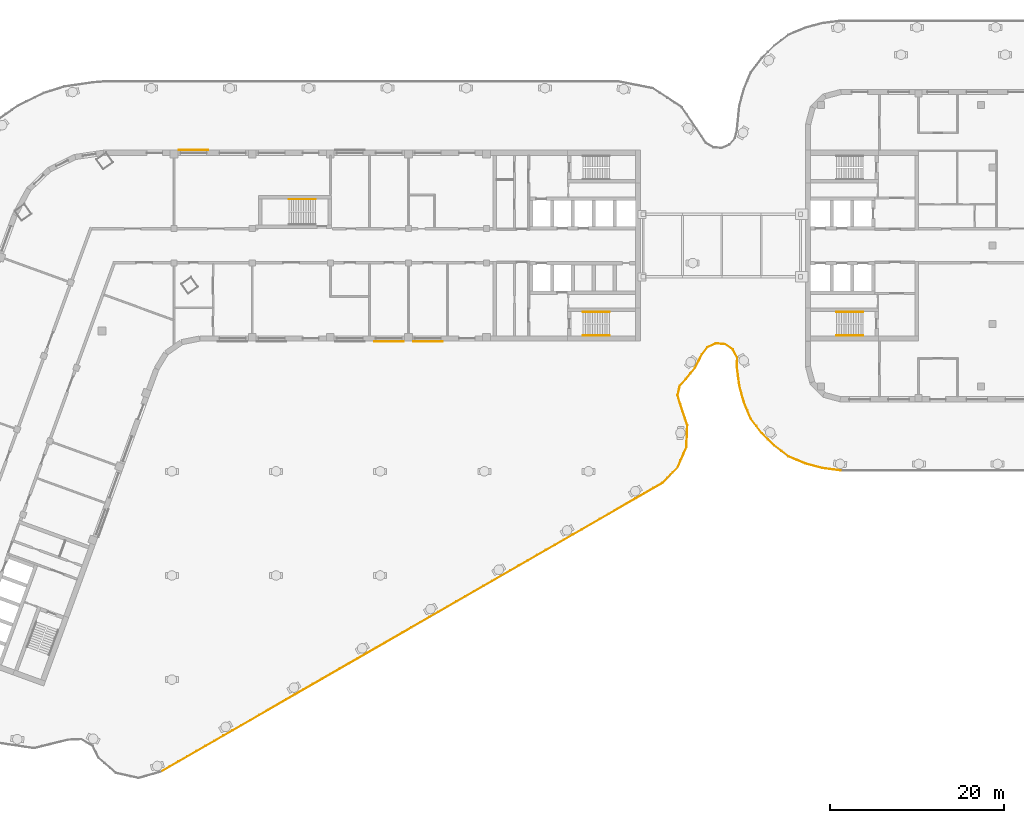
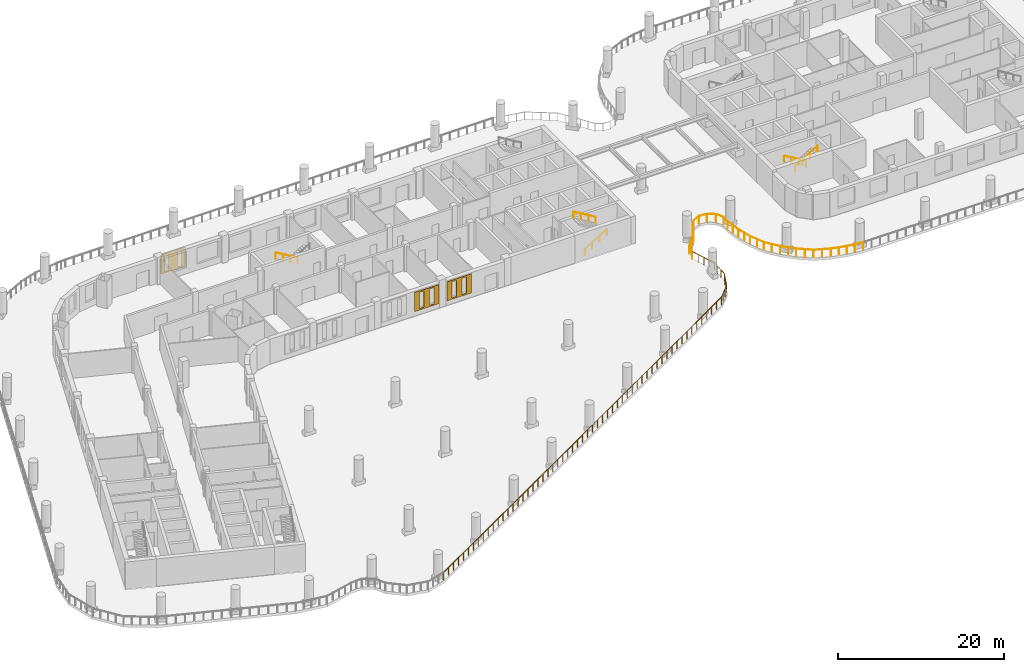
# One storey, part 14 of 18: 7 railings, 3 coverings.
"""IFC4 building model written with IfcOpenShell, lengths in metres."""

from ifc_helpers import new_model, si_unit, direction, frame, origin, origin_2d, place, context, subcontext, project, spatial, polyline, circle, outline, extrude, material, material_profile, profile_set, type_object, element, save


model = new_model("IFC4")

# Units and contexts
model_context = context("Model", 3, precision=1e-05, world=origin(), true_north=direction((0.0, 1.0)))
body_context = subcontext(model_context, "Body", "Model", "MODEL_VIEW")
ifc_project = project(units=[si_unit("LENGTHUNIT", "METRE"), si_unit("AREAUNIT", "SQUARE_METRE"), si_unit("VOLUMEUNIT", "CUBIC_METRE"), si_unit("PLANEANGLEUNIT", "RADIAN"), si_unit("MASSUNIT", "GRAM", prefix="KILO")], contexts=[model_context])

# Site, building, storey
site_placement = place(None, origin())
site = spatial("IfcSite", under=ifc_project, at=site_placement, CompositionType="ELEMENT")
building_placement = place(site_placement, origin())
building = spatial("IfcBuilding", under=site, at=building_placement, Name="Skarvind Civic Tower", CompositionType="ELEMENT")
storey_placement = place(building_placement, frame((0.0, 0.0, 27.5)))
storey = spatial("IfcBuildingStorey", under=building, at=storey_placement, Name="L05", CompositionType="ELEMENT", Elevation=27.5)

# Railings
ifc_material_1 = material(Name="Stainless steel balustrade", Category="steel")
railing_type_1 = type_object("IfcRailingType", Name="GR1 GUARD 1100", PredefinedType="GUARDRAIL", material=ifc_material_1)
railing_1_placement = place(storey_placement, frame((131.0283203125, 102.10009765625, 0.0)))
element("IfcRailing", 1, at=railing_1_placement, inside=storey, type_object=railing_type_1, Name="PODIUM ROOF TERRACE GUARD", PredefinedType="GUARDRAIL", context=body_context, shape_type="SweptSolid", body=[
    extrude(circle(Radius=0.02392578125, at=origin_2d()), frame((0.0, 0.0, 1.076171875), z_axis=(-0.991453903281, 0.130457493725, 0.0), x_axis=(-0.130457493725, -0.991453903281, 0.0)), (0.0, 0.0, 1.0), 2.118408203125),
    extrude(circle(Radius=0.02392578125, at=origin_2d()), frame((-2.100341796875, 0.2763671875, 1.076171875), z_axis=(-0.965939918183, 0.258766447709, 0.0), x_axis=(-0.258766447709, -0.965939918183, 0.0)), (0.0, 0.0, 1.0), 2.009521484375),
    extrude(circle(Radius=0.02392578125, at=origin_2d()), frame((-4.04150390625, 0.79638671875, 1.076171875), z_axis=(-0.924005469996, 0.382379250768, 0.0), x_axis=(-0.382379250768, -0.924005469996, 0.0)), (0.0, 0.0, 1.0), 2.09423828125),
    extrude(circle(Radius=0.02392578125, at=origin_2d()), frame((-5.9765625, 1.59716796875, 1.076171875), z_axis=(-0.793122059235, 0.609062721856, 0.0), x_axis=(-0.609062721856, -0.793122059235, 0.0)), (0.0, 0.0, 1.0), 2.094482421875),
    extrude(circle(Radius=0.02392578125, at=origin_2d()), frame((-7.6376953125, 2.872802734375, 1.076171875), z_axis=(-0.707106781187, 0.707106781187, 0.0), x_axis=(-0.707106781187, -0.707106781187, 0.0)), (0.0, 0.0, 1.0), 2.0048828125),
    extrude(circle(Radius=0.02392578125, at=origin_2d()), frame((-9.055419921875, 4.29052734375, 1.076171875), z_axis=(-0.609062721856, 0.793122059235, 0.0), x_axis=(-0.793122059235, -0.609062721856, 0.0)), (0.0, 0.0, 1.0), 2.094482421875),
    extrude(circle(Radius=0.02392578125, at=origin_2d()), frame((-10.3310546875, 5.95166015625, 1.076171875), z_axis=(-0.382379250768, 0.924005469996, 0.0), x_axis=(-0.924005469996, -0.382379250768, 0.0)), (0.0, 0.0, 1.0), 2.09423828125),
    extrude(circle(Radius=0.02392578125, at=origin_2d()), frame((-11.1318359375, 7.88671875, 1.076171875), z_axis=(-0.258766447709, 0.965939918183, 0.0), x_axis=(-0.965939918183, -0.258766447709, 0.0)), (0.0, 0.0, 1.0), 2.009521484375),
    extrude(circle(Radius=0.02392578125, at=origin_2d()), frame((-11.65185546875, 9.827880859375, 1.076171875), z_axis=(-0.130561919254, 0.991440157166, 0.0), x_axis=(-0.991440157166, -0.130561919254, 0.0)), (0.0, 0.0, 1.0), 2.11669921875),
    extrude(circle(Radius=0.02392578125, at=origin_2d()), frame((-11.92822265625, 11.926513671875, 1.076171875), z_axis=(0.035907766371, 0.999355108214, 0.0), x_axis=(-0.999355108214, 0.035907766371, 0.0)), (0.0, 0.0, 1.0), 1.047119140625),
    extrude(circle(Radius=0.02392578125, at=origin_2d()), frame((-11.890625, 12.972900390625, 1.076171875), z_axis=(-0.453614572839, 0.89119796864, 0.0), x_axis=(-0.89119796864, -0.453614572839, 0.0)), (0.0, 0.0, 1.0), 1.081298828125),
    extrude(circle(Radius=0.02392578125, at=origin_2d()), frame((-12.381103515625, 13.9365234375, 1.076171875), z_axis=(-0.829295997442, 0.558809581723, 0.0), x_axis=(-0.558809581723, -0.829295997442, 0.0)), (0.0, 0.0, 1.0), 1.081298828125),
    extrude(circle(Radius=0.02392578125, at=origin_2d()), frame((-13.27783203125, 14.540771484375, 1.076171875), z_axis=(-0.996274397011, 0.086239931942, 0.0), x_axis=(-0.086239931942, -0.996274397011, 0.0)), (0.0, 0.0, 1.0), 1.08154296875),
    extrude(circle(Radius=0.02392578125, at=origin_2d()), frame((-14.355224609375, 14.634033203125, 1.076171875), z_axis=(-0.912878045131, -0.408232378332, 0.0), x_axis=(0.408232378332, -0.912878045131, 0.0)), (0.0, 0.0, 1.0), 1.081298828125),
    extrude(circle(Radius=0.02392578125, at=origin_2d()), frame((-15.34228515625, 14.192626953125, 1.076171875), z_axis=(-0.599963290333, -0.800027530934, 0.0), x_axis=(0.800027530934, -0.599963290333, 0.0)), (0.0, 0.0, 1.0), 1.064208984375),
    extrude(circle(Radius=0.02392578125, at=origin_2d()), frame((-15.980712890625, 13.34130859375, 1.076171875), z_axis=(-0.454268603849, -0.890864768389, 0.0), x_axis=(0.890864768389, -0.454268603849, 0.0)), (0.0, 0.0, 1.0), 1.685302734375),
    extrude(circle(Radius=0.02392578125, at=origin_2d()), frame((-16.746337890625, 11.83984375, 1.076171875), z_axis=(-0.629873283417, -0.776697912214, 0.0), x_axis=(0.776697912214, -0.629873283417, 0.0)), (0.0, 0.0, 1.0), 1.674560546875),
    extrude(circle(Radius=0.02392578125, at=origin_2d()), frame((-17.801025390625, 10.539306640625, 1.076171875), z_axis=(-0.664587995298, -0.747210008301, 0.0), x_axis=(0.747210008301, -0.664587995298, 0.0)), (0.0, 0.0, 1.0), 1.08154296875),
    extrude(circle(Radius=0.02392578125, at=origin_2d()), frame((-18.519775390625, 9.731201171875, 1.076171875), z_axis=(-0.216977058061, -0.976176703407, 0.0), x_axis=(0.976176703407, -0.216977058061, 0.0)), (0.0, 0.0, 1.0), 1.109375),
    extrude(circle(Radius=0.02099609375, at=origin_2d()), origin(), (0.0, 0.0, 1.0), 1.052001953125),
    extrude(circle(Radius=0.02099609375, at=origin_2d()), frame((-1.05029296875, 0.13818359375, 0.0)), (0.0, 0.0, 1.0), 1.052001953125),
    extrude(circle(Radius=0.02099609375, at=origin_2d()), frame((-2.100341796875, 0.2763671875, 0.0)), (0.0, 0.0, 1.0), 1.052001953125),
    extrude(circle(Radius=0.02099609375, at=origin_2d()), frame((-3.07080078125, 0.536376953125, 0.0)), (0.0, 0.0, 1.0), 1.052001953125),
    extrude(circle(Radius=0.02099609375, at=origin_2d()), frame((-4.04150390625, 0.79638671875, 0.0)), (0.0, 0.0, 1.0), 1.052001953125),
    extrude(circle(Radius=0.02099609375, at=origin_2d()), frame((-5.009033203125, 1.19677734375, 0.0)), (0.0, 0.0, 1.0), 1.052001953125),
    extrude(circle(Radius=0.02099609375, at=origin_2d()), frame((-5.9765625, 1.59716796875, 0.0)), (0.0, 0.0, 1.0), 1.052001953125),
    extrude(circle(Radius=0.02099609375, at=origin_2d()), frame((-6.80712890625, 2.23486328125, 0.0)), (0.0, 0.0, 1.0), 1.052001953125),
    extrude(circle(Radius=0.02099609375, at=origin_2d()), frame((-7.6376953125, 2.872802734375, 0.0)), (0.0, 0.0, 1.0), 1.052001953125),
    extrude(circle(Radius=0.02099609375, at=origin_2d()), frame((-8.3466796875, 3.58154296875, 0.0)), (0.0, 0.0, 1.0), 1.052001953125),
    extrude(circle(Radius=0.02099609375, at=origin_2d()), frame((-9.055419921875, 4.29052734375, 0.0)), (0.0, 0.0, 1.0), 1.052001953125),
    extrude(circle(Radius=0.02099609375, at=origin_2d()), frame((-9.693359375, 5.12109375, 0.0)), (0.0, 0.0, 1.0), 1.052001953125),
    extrude(circle(Radius=0.02099609375, at=origin_2d()), frame((-10.3310546875, 5.95166015625, 0.0)), (0.0, 0.0, 1.0), 1.052001953125),
    extrude(circle(Radius=0.02099609375, at=origin_2d()), frame((-10.7314453125, 6.919189453125, 0.0)), (0.0, 0.0, 1.0), 1.052001953125),
    extrude(circle(Radius=0.02099609375, at=origin_2d()), frame((-11.1318359375, 7.88671875, 0.0)), (0.0, 0.0, 1.0), 1.052001953125),
    extrude(circle(Radius=0.02099609375, at=origin_2d()), frame((-11.391845703125, 8.857421875, 0.0)), (0.0, 0.0, 1.0), 1.052001953125),
    extrude(circle(Radius=0.02099609375, at=origin_2d()), frame((-11.65185546875, 9.827880859375, 0.0)), (0.0, 0.0, 1.0), 1.052001953125),
    extrude(circle(Radius=0.02099609375, at=origin_2d()), frame((-11.7900390625, 10.877197265625, 0.0)), (0.0, 0.0, 1.0), 1.052001953125),
    extrude(circle(Radius=0.02099609375, at=origin_2d()), frame((-11.92822265625, 11.926513671875, 0.0)), (0.0, 0.0, 1.0), 1.052001953125),
    extrude(circle(Radius=0.02099609375, at=origin_2d()), frame((-11.890625, 12.972900390625, 0.0)), (0.0, 0.0, 1.0), 1.052001953125),
    extrude(circle(Radius=0.02099609375, at=origin_2d()), frame((-12.381103515625, 13.9365234375, 0.0)), (0.0, 0.0, 1.0), 1.052001953125),
    extrude(circle(Radius=0.02099609375, at=origin_2d()), frame((-13.27783203125, 14.540771484375, 0.0)), (0.0, 0.0, 1.0), 1.052001953125),
    extrude(circle(Radius=0.02099609375, at=origin_2d()), frame((-14.355224609375, 14.634033203125, 0.0)), (0.0, 0.0, 1.0), 1.052001953125),
    extrude(circle(Radius=0.02099609375, at=origin_2d()), frame((-15.34228515625, 14.192626953125, 0.0)), (0.0, 0.0, 1.0), 1.052001953125),
    extrude(circle(Radius=0.02099609375, at=origin_2d()), frame((-15.980712890625, 13.34130859375, 0.0)), (0.0, 0.0, 1.0), 1.052001953125),
    extrude(circle(Radius=0.02099609375, at=origin_2d()), frame((-16.363525390625, 12.590576171875, 0.0)), (0.0, 0.0, 1.0), 1.052001953125),
    extrude(circle(Radius=0.02099609375, at=origin_2d()), frame((-16.746337890625, 11.83984375, 0.0)), (0.0, 0.0, 1.0), 1.052001953125),
    extrude(circle(Radius=0.02099609375, at=origin_2d()), frame((-17.273681640625, 11.189453125, 0.0)), (0.0, 0.0, 1.0), 1.052001953125),
    extrude(circle(Radius=0.02099609375, at=origin_2d()), frame((-17.801025390625, 10.539306640625, 0.0)), (0.0, 0.0, 1.0), 1.052001953125),
    extrude(circle(Radius=0.02099609375, at=origin_2d()), frame((-18.519775390625, 9.731201171875, 0.0)), (0.0, 0.0, 1.0), 1.052001953125),
    extrude(circle(Radius=0.02099609375, at=origin_2d()), frame((-18.760498046875, 8.648193359375, 0.0)), (0.0, 0.0, 1.0), 1.052001953125),
])
railing_2_placement = place(storey_placement, frame((112.267822265625, 110.748291015625, 0.0)))
element("IfcRailing", 2, at=railing_2_placement, inside=storey, type_object=railing_type_1, Name="PODIUM ROOF TERRACE GUARD", PredefinedType="GUARDRAIL", context=body_context, shape_type="SweptSolid", body=[
    extrude(circle(Radius=0.02392578125, at=origin_2d()), frame((0.0, 0.0, 1.076171875), z_axis=(0.285489776214, -0.958381754666, 0.0), x_axis=(0.958381754666, 0.285489776214, 0.0)), (0.0, 0.0, 1.0), 1.085205078125),
    extrude(circle(Radius=0.02392578125, at=origin_2d()), frame((0.309814453125, -1.0400390625, 1.076171875), z_axis=(0.316372004917, -0.948635206233, 0.0), x_axis=(0.948635206233, 0.316372004917, 0.0)), (0.0, 0.0, 1.0), 2.538818359375),
    extrude(circle(Radius=0.02392578125, at=origin_2d()), frame((1.113037109375, -3.448486328125, 1.076171875), z_axis=(-0.041973262051, -0.999118734322, 0.0), x_axis=(0.999118734322, -0.041973262051, 0.0)), (0.0, 0.0, 1.0), 2.5185546875),
    extrude(circle(Radius=0.02392578125, at=origin_2d()), frame((1.00732421875, -5.96484375, 1.076171875), z_axis=(-0.39481994479, -0.918758516258, 0.0), x_axis=(0.918758516258, -0.39481994479, 0.0)), (0.0, 0.0, 1.0), 2.5185546875),
    extrude(circle(Radius=0.02392578125, at=origin_2d()), frame((0.012939453125, -8.27880859375, 1.076171875), z_axis=(-0.695990171293, -0.718051308378, 0.0), x_axis=(0.718051308378, -0.695990171293, 0.0)), (0.0, 0.0, 1.0), 2.523193359375),
    extrude(circle(Radius=0.02392578125, at=origin_2d()), frame((-1.7431640625, -10.090576171875, 1.076171875), z_axis=(-0.866700619928, -0.498828663387, 0.0), x_axis=(0.498828663387, -0.866700619928, 0.0)), (0.0, 0.0, 1.0), 66.7041015625),
    extrude(circle(Radius=0.02099609375, at=origin_2d()), origin(), (0.0, 0.0, 1.0), 1.052001953125),
    extrude(circle(Radius=0.02099609375, at=origin_2d()), frame((0.309814453125, -1.0400390625, 0.0)), (0.0, 0.0, 1.0), 1.052001953125),
    extrude(circle(Radius=0.02099609375, at=origin_2d()), frame((0.57763671875, -1.8427734375, 0.0)), (0.0, 0.0, 1.0), 1.052001953125),
    extrude(circle(Radius=0.02099609375, at=origin_2d()), frame((0.84521484375, -2.645751953125, 0.0)), (0.0, 0.0, 1.0), 1.052001953125),
    extrude(circle(Radius=0.02099609375, at=origin_2d()), frame((1.113037109375, -3.448486328125, 0.0)), (0.0, 0.0, 1.0), 1.052001953125),
    extrude(circle(Radius=0.02099609375, at=origin_2d()), frame((1.077880859375, -4.287353515625, 0.0)), (0.0, 0.0, 1.0), 1.052001953125),
    extrude(circle(Radius=0.02099609375, at=origin_2d()), frame((1.04248046875, -5.1259765625, 0.0)), (0.0, 0.0, 1.0), 1.052001953125),
    extrude(circle(Radius=0.02099609375, at=origin_2d()), frame((1.00732421875, -5.96484375, 0.0)), (0.0, 0.0, 1.0), 1.052001953125),
    extrude(circle(Radius=0.02099609375, at=origin_2d()), frame((0.67578125, -6.736083984375, 0.0)), (0.0, 0.0, 1.0), 1.052001953125),
    extrude(circle(Radius=0.02099609375, at=origin_2d()), frame((0.344482421875, -7.507568359375, 0.0)), (0.0, 0.0, 1.0), 1.052001953125),
    extrude(circle(Radius=0.02099609375, at=origin_2d()), frame((0.012939453125, -8.27880859375, 0.0)), (0.0, 0.0, 1.0), 1.052001953125),
    extrude(circle(Radius=0.02099609375, at=origin_2d()), frame((-0.572509765625, -8.8828125, 0.0)), (0.0, 0.0, 1.0), 1.052001953125),
    extrude(circle(Radius=0.02099609375, at=origin_2d()), frame((-1.15771484375, -9.486572265625, 0.0)), (0.0, 0.0, 1.0), 1.052001953125),
    extrude(circle(Radius=0.02099609375, at=origin_2d()), frame((-1.7431640625, -10.090576171875, 0.0)), (0.0, 0.0, 1.0), 1.052001953125),
    extrude(circle(Radius=0.02099609375, at=origin_2d()), frame((-2.775634765625, -10.684814453125, 0.0)), (0.0, 0.0, 1.0), 1.052001953125),
    extrude(circle(Radius=0.02099609375, at=origin_2d()), frame((-3.807861328125, -11.27880859375, 0.0)), (0.0, 0.0, 1.0), 1.052001953125),
    extrude(circle(Radius=0.02099609375, at=origin_2d()), frame((-4.84033203125, -11.873046875, 0.0)), (0.0, 0.0, 1.0), 1.052001953125),
    extrude(circle(Radius=0.02099609375, at=origin_2d()), frame((-5.87255859375, -12.46728515625, 0.0)), (0.0, 0.0, 1.0), 1.052001953125),
    extrude(circle(Radius=0.02099609375, at=origin_2d()), frame((-6.905029296875, -13.0615234375, 0.0)), (0.0, 0.0, 1.0), 1.052001953125),
    extrude(circle(Radius=0.02099609375, at=origin_2d()), frame((-7.937255859375, -13.65576171875, 0.0)), (0.0, 0.0, 1.0), 1.052001953125),
    extrude(circle(Radius=0.02099609375, at=origin_2d()), frame((-8.9697265625, -14.249755859375, 0.0)), (0.0, 0.0, 1.0), 1.052001953125),
    extrude(circle(Radius=0.02099609375, at=origin_2d()), frame((-10.002197265625, -14.843994140625, 0.0)), (0.0, 0.0, 1.0), 1.052001953125),
    extrude(circle(Radius=0.02099609375, at=origin_2d()), frame((-11.034423828125, -15.438232421875, 0.0)), (0.0, 0.0, 1.0), 1.052001953125),
    extrude(circle(Radius=0.02099609375, at=origin_2d()), frame((-12.06689453125, -16.0322265625, 0.0)), (0.0, 0.0, 1.0), 1.052001953125),
    extrude(circle(Radius=0.02099609375, at=origin_2d()), frame((-13.09912109375, -16.62646484375, 0.0)), (0.0, 0.0, 1.0), 1.052001953125),
    extrude(circle(Radius=0.02099609375, at=origin_2d()), frame((-14.131591796875, -17.220703125, 0.0)), (0.0, 0.0, 1.0), 1.052001953125),
    extrude(circle(Radius=0.02099609375, at=origin_2d()), frame((-15.163818359375, -17.81494140625, 0.0)), (0.0, 0.0, 1.0), 1.052001953125),
    extrude(circle(Radius=0.02099609375, at=origin_2d()), frame((-16.1962890625, -18.4091796875, 0.0)), (0.0, 0.0, 1.0), 1.052001953125),
    extrude(circle(Radius=0.02099609375, at=origin_2d()), frame((-17.228759765625, -19.003173828125, 0.0)), (0.0, 0.0, 1.0), 1.052001953125),
    extrude(circle(Radius=0.02099609375, at=origin_2d()), frame((-18.260986328125, -19.597412109375, 0.0)), (0.0, 0.0, 1.0), 1.052001953125),
    extrude(circle(Radius=0.02099609375, at=origin_2d()), frame((-19.29345703125, -20.191650390625, 0.0)), (0.0, 0.0, 1.0), 1.052001953125),
    extrude(circle(Radius=0.02099609375, at=origin_2d()), frame((-20.32568359375, -20.78564453125, 0.0)), (0.0, 0.0, 1.0), 1.052001953125),
    extrude(circle(Radius=0.02099609375, at=origin_2d()), frame((-21.358154296875, -21.3798828125, 0.0)), (0.0, 0.0, 1.0), 1.052001953125),
    extrude(circle(Radius=0.02099609375, at=origin_2d()), frame((-22.390380859375, -21.97412109375, 0.0)), (0.0, 0.0, 1.0), 1.052001953125),
    extrude(circle(Radius=0.02099609375, at=origin_2d()), frame((-23.4228515625, -22.568359375, 0.0)), (0.0, 0.0, 1.0), 1.052001953125),
    extrude(circle(Radius=0.02099609375, at=origin_2d()), frame((-24.455322265625, -23.16259765625, 0.0)), (0.0, 0.0, 1.0), 1.052001953125),
    extrude(circle(Radius=0.02099609375, at=origin_2d()), frame((-25.487548828125, -23.756591796875, 0.0)), (0.0, 0.0, 1.0), 1.052001953125),
    extrude(circle(Radius=0.02099609375, at=origin_2d()), frame((-26.52001953125, -24.350830078125, 0.0)), (0.0, 0.0, 1.0), 1.052001953125),
    extrude(circle(Radius=0.02099609375, at=origin_2d()), frame((-27.55224609375, -24.945068359375, 0.0)), (0.0, 0.0, 1.0), 1.052001953125),
    extrude(circle(Radius=0.02099609375, at=origin_2d()), frame((-28.584716796875, -25.5390625, 0.0)), (0.0, 0.0, 1.0), 1.052001953125),
    extrude(circle(Radius=0.02099609375, at=origin_2d()), frame((-29.616943359375, -26.13330078125, 0.0)), (0.0, 0.0, 1.0), 1.052001953125),
    extrude(circle(Radius=0.02099609375, at=origin_2d()), frame((-30.6494140625, -26.7275390625, 0.0)), (0.0, 0.0, 1.0), 1.052001953125),
    extrude(circle(Radius=0.02099609375, at=origin_2d()), frame((-31.681884765625, -27.32177734375, 0.0)), (0.0, 0.0, 1.0), 1.052001953125),
    extrude(circle(Radius=0.02099609375, at=origin_2d()), frame((-32.714111328125, -27.916015625, 0.0)), (0.0, 0.0, 1.0), 1.052001953125),
    extrude(circle(Radius=0.02099609375, at=origin_2d()), frame((-33.74658203125, -28.510009765625, 0.0)), (0.0, 0.0, 1.0), 1.052001953125),
    extrude(circle(Radius=0.02099609375, at=origin_2d()), frame((-34.77880859375, -29.104248046875, 0.0)), (0.0, 0.0, 1.0), 1.052001953125),
    extrude(circle(Radius=0.02099609375, at=origin_2d()), frame((-35.811279296875, -29.698486328125, 0.0)), (0.0, 0.0, 1.0), 1.052001953125),
    extrude(circle(Radius=0.02099609375, at=origin_2d()), frame((-36.843505859375, -30.29248046875, 0.0)), (0.0, 0.0, 1.0), 1.052001953125),
    extrude(circle(Radius=0.02099609375, at=origin_2d()), frame((-37.8759765625, -30.88671875, 0.0)), (0.0, 0.0, 1.0), 1.052001953125),
    extrude(circle(Radius=0.02099609375, at=origin_2d()), frame((-38.908447265625, -31.48095703125, 0.0)), (0.0, 0.0, 1.0), 1.052001953125),
    extrude(circle(Radius=0.02099609375, at=origin_2d()), frame((-39.940673828125, -32.0751953125, 0.0)), (0.0, 0.0, 1.0), 1.052001953125),
    extrude(circle(Radius=0.02099609375, at=origin_2d()), frame((-40.97314453125, -32.66943359375, 0.0)), (0.0, 0.0, 1.0), 1.052001953125),
    extrude(circle(Radius=0.02099609375, at=origin_2d()), frame((-42.00537109375, -33.263427734375, 0.0)), (0.0, 0.0, 1.0), 1.052001953125),
    extrude(circle(Radius=0.02099609375, at=origin_2d()), frame((-43.037841796875, -33.857666015625, 0.0)), (0.0, 0.0, 1.0), 1.052001953125),
    extrude(circle(Radius=0.02099609375, at=origin_2d()), frame((-44.070068359375, -34.451904296875, 0.0)), (0.0, 0.0, 1.0), 1.052001953125),
    extrude(circle(Radius=0.02099609375, at=origin_2d()), frame((-45.1025390625, -35.0458984375, 0.0)), (0.0, 0.0, 1.0), 1.052001953125),
    extrude(circle(Radius=0.02099609375, at=origin_2d()), frame((-46.135009765625, -35.64013671875, 0.0)), (0.0, 0.0, 1.0), 1.052001953125),
    extrude(circle(Radius=0.02099609375, at=origin_2d()), frame((-47.167236328125, -36.234375, 0.0)), (0.0, 0.0, 1.0), 1.052001953125),
    extrude(circle(Radius=0.02099609375, at=origin_2d()), frame((-48.19970703125, -36.82861328125, 0.0)), (0.0, 0.0, 1.0), 1.052001953125),
    extrude(circle(Radius=0.02099609375, at=origin_2d()), frame((-49.23193359375, -37.4228515625, 0.0)), (0.0, 0.0, 1.0), 1.052001953125),
    extrude(circle(Radius=0.02099609375, at=origin_2d()), frame((-50.264404296875, -38.016845703125, 0.0)), (0.0, 0.0, 1.0), 1.052001953125),
    extrude(circle(Radius=0.02099609375, at=origin_2d()), frame((-51.296630859375, -38.611083984375, 0.0)), (0.0, 0.0, 1.0), 1.052001953125),
    extrude(circle(Radius=0.02099609375, at=origin_2d()), frame((-52.3291015625, -39.205322265625, 0.0)), (0.0, 0.0, 1.0), 1.052001953125),
    extrude(circle(Radius=0.02099609375, at=origin_2d()), frame((-53.361572265625, -39.79931640625, 0.0)), (0.0, 0.0, 1.0), 1.052001953125),
    extrude(circle(Radius=0.02099609375, at=origin_2d()), frame((-54.393798828125, -40.3935546875, 0.0)), (0.0, 0.0, 1.0), 1.052001953125),
    extrude(circle(Radius=0.02099609375, at=origin_2d()), frame((-55.42626953125, -40.98779296875, 0.0)), (0.0, 0.0, 1.0), 1.052001953125),
    extrude(circle(Radius=0.02099609375, at=origin_2d()), frame((-56.45849609375, -41.58203125, 0.0)), (0.0, 0.0, 1.0), 1.052001953125),
    extrude(circle(Radius=0.02099609375, at=origin_2d()), frame((-57.490966796875, -42.17626953125, 0.0)), (0.0, 0.0, 1.0), 1.052001953125),
    extrude(circle(Radius=0.02099609375, at=origin_2d()), frame((-58.523193359375, -42.770263671875, 0.0)), (0.0, 0.0, 1.0), 1.052001953125),
    extrude(circle(Radius=0.02099609375, at=origin_2d()), frame((-59.5556640625, -43.364501953125, 0.0)), (0.0, 0.0, 1.0), 1.052001953125),
])
ifc_material_2 = material(Name="Painted steel handrail", Category="steel")
railing_type_2 = type_object("IfcRailingType", Name="Stair handrail 900", PredefinedType="HANDRAIL", material=ifc_material_2)
railing_3_placement = place(storey_placement, frame((101.35009765625, 117.64990234375, 0.166748046875)))
element("IfcRailing", 3, at=railing_3_placement, inside=storey, type_object=railing_type_2, Name="Stair handrail", PredefinedType="HANDRAIL", context=body_context, shape_type="SweptSolid", body=[
    extrude(circle(Radius=0.02392578125, at=origin_2d()), frame((0.0, 0.0, 0.8759765625), z_axis=(0.859290745958, 0.0, 0.51148745235), x_axis=(0.0, 1.0, 0.0)), (0.0, 0.0, 1.0), 3.584228515625),
    extrude(circle(Radius=0.02099609375, at=origin_2d()), origin(), (0.0, 0.0, 1.0), 0.851806640625),
    extrude(circle(Radius=0.02099609375, at=origin_2d()), frame((1.026611328125, 0.0, 0.611083984375)), (0.0, 0.0, 1.0), 0.851806640625),
    extrude(circle(Radius=0.02099609375, at=origin_2d()), frame((2.05322265625, 0.0, 1.22216796875)), (0.0, 0.0, 1.0), 0.851806640625),
    extrude(circle(Radius=0.02099609375, at=origin_2d()), frame((3.079833984375, 0.0, 1.833251953125)), (0.0, 0.0, 1.0), 0.851806640625),
])
for number, where, name in (
    (4, (104.429931640625, 120.35009765625, 2.166748046875), "Stair handrail"),
    (5, (133.64990234375, 120.35009765625, 0.166748046875), "Stair handrail"),
):
    element("IfcRailing", number, at=place(storey_placement, frame(where)), inside=storey, type_object=railing_type_2, Name=name, PredefinedType="HANDRAIL", context=body_context, shape_type="SweptSolid", body=[
        extrude(circle(Radius=0.02392578125, at=origin_2d()), frame((0.0, 0.0, 0.8759765625), z_axis=(-0.859290745958, 0.0, 0.51148745235), x_axis=(0.0, -1.0, 0.0)), (0.0, 0.0, 1.0), 3.584228515625),
        extrude(circle(Radius=0.02099609375, at=origin_2d()), origin(), (0.0, 0.0, 1.0), 0.851806640625),
        extrude(circle(Radius=0.02099609375, at=origin_2d()), frame((-1.026611328125, 0.0, 0.611083984375)), (0.0, 0.0, 1.0), 0.851806640625),
        extrude(circle(Radius=0.02099609375, at=origin_2d()), frame((-2.05322265625, 0.0, 1.22216796875)), (0.0, 0.0, 1.0), 0.851806640625),
        extrude(circle(Radius=0.02099609375, at=origin_2d()), frame((-3.079833984375, 0.0, 1.833251953125)), (0.0, 0.0, 1.0), 0.851806640625),
    ])
railing_4_placement = place(storey_placement, frame((130.570068359375, 117.64990234375, 2.166748046875)))
element("IfcRailing", 6, at=railing_4_placement, inside=storey, type_object=railing_type_2, Name="Stair handrail", PredefinedType="HANDRAIL", context=body_context, shape_type="SweptSolid", body=[
    extrude(circle(Radius=0.02392578125, at=origin_2d()), frame((0.0, 0.0, 0.8759765625), z_axis=(0.859290745958, 0.0, 0.51148745235), x_axis=(0.0, 1.0, 0.0)), (0.0, 0.0, 1.0), 3.584228515625),
    extrude(circle(Radius=0.02099609375, at=origin_2d()), origin(), (0.0, 0.0, 1.0), 0.851806640625),
    extrude(circle(Radius=0.02099609375, at=origin_2d()), frame((1.026611328125, 0.0, 0.611083984375)), (0.0, 0.0, 1.0), 0.851806640625),
    extrude(circle(Radius=0.02099609375, at=origin_2d()), frame((2.05322265625, 0.0, 1.22216796875)), (0.0, 0.0, 1.0), 0.851806640625),
    extrude(circle(Radius=0.02099609375, at=origin_2d()), frame((3.079833984375, 0.0, 1.833251953125)), (0.0, 0.0, 1.0), 0.851806640625),
])
railing_5_placement = place(storey_placement, frame((70.550048828125, 133.35009765625, 0.166748046875)))
element("IfcRailing", 7, at=railing_5_placement, inside=storey, type_object=railing_type_2, Name="Stair handrail", PredefinedType="HANDRAIL", context=body_context, shape_type="SweptSolid", body=[
    extrude(circle(Radius=0.02392578125, at=origin_2d()), frame((0.0, 0.0, 0.8759765625), z_axis=(-0.859308565015, 0.0, 0.511457515432), x_axis=(0.0, -1.0, 0.0)), (0.0, 0.0, 1.0), 3.58447265625),
    extrude(circle(Radius=0.02099609375, at=origin_2d()), origin(), (0.0, 0.0, 1.0), 0.851806640625),
    extrude(circle(Radius=0.02099609375, at=origin_2d()), frame((-1.026611328125, 0.0, 0.611083984375)), (0.0, 0.0, 1.0), 0.851806640625),
    extrude(circle(Radius=0.02099609375, at=origin_2d()), frame((-2.053466796875, 0.0, 1.22216796875)), (0.0, 0.0, 1.0), 0.851806640625),
    extrude(circle(Radius=0.02099609375, at=origin_2d()), frame((-3.080078125, 0.0, 1.833251953125)), (0.0, 0.0, 1.0), 0.851806640625),
])

# Coverings
ifc_material_3 = material(Name="Terracotta", Category="masonry")
ifc_material_profile_1 = material_profile(ifc_material_3, outline(polyline([(-1.699951171875, -1.39990234375), (1.699951171875, -1.39990234375), (1.699951171875, 1.39990234375), (-1.699951171875, 1.39990234375), (-1.699951171875, -1.39990234375)]), holes=[polyline([(-1.0, -1.18994140625), (-0.39990234375, -1.18994140625), (-0.39990234375, 1.18994140625), (-1.0, 1.18994140625), (-1.0, -1.18994140625)]), polyline([(0.39990234375, -1.18994140625), (1.0, -1.18994140625), (1.0, 1.18994140625), (0.39990234375, 1.18994140625), (0.39990234375, -1.18994140625)])]), Name="TERRACOTTA SCREEN 3400 x 2800, SLIT PITCH 1400")
ifc_profile_set_1 = profile_set([ifc_material_profile_1], Name="Terracotta")
covering_type_1 = type_object("IfcCoveringType", Name="TERRACOTTA SCREEN 3400 x 2800, SLIT PITCH 1400", PredefinedType="CLADDING", material=ifc_profile_set_1)
for number, where, z_axis, x_axis, name in (
    (8, (83.5, 117.0, 2.10009765625), (0.0, -1.0, 0.0), (1.0, 0.0, 0.0), "TERRACOTTA SCREEN"),
    (9, (79.0, 117.0, 2.10009765625), (0.0, -1.0, 0.0), (1.0, 0.0, 0.0), "TERRACOTTA SCREEN"),
):
    element("IfcCovering", number, at=place(storey_placement, frame(where, z_axis=z_axis, x_axis=x_axis)), inside=storey, type_object=covering_type_1, Name=name, PredefinedType="CLADDING", context=body_context, shape_type="SweptSolid", body=[
        extrude(outline(polyline([(-1.699951171875, -1.39990234375), (1.699951171875, -1.39990234375), (1.699951171875, 1.39990234375), (-1.699951171875, 1.39990234375), (-1.699951171875, -1.39990234375)]), holes=[polyline([(-1.0, -1.18994140625), (-0.39990234375, -1.18994140625), (-0.39990234375, 1.18994140625), (-1.0, 1.18994140625), (-1.0, -1.18994140625)]), polyline([(0.39990234375, -1.18994140625), (1.0, -1.18994140625), (1.0, 1.18994140625), (0.39990234375, 1.18994140625), (0.39990234375, -1.18994140625)])]), origin(), (0.0, 0.0, 1.0), 0.06005859375),
    ])
ifc_material_profile_2 = material_profile(ifc_material_3, outline(polyline([(-1.699951171875, -1.39990234375), (1.699951171875, -1.39990234375), (1.699951171875, 1.39990234375), (-1.699951171875, 1.39990234375), (-1.699951171875, -1.39990234375)]), holes=[polyline([(-1.199951171875, -1.18994140625), (-0.60009765625, -1.18994140625), (-0.60009765625, 1.18994140625), (-1.199951171875, 1.18994140625), (-1.199951171875, -1.18994140625)]), polyline([(0.60009765625, -1.18994140625), (1.199951171875, -1.18994140625), (1.199951171875, 1.18994140625), (0.60009765625, 1.18994140625), (0.60009765625, -1.18994140625)])]), Name="TERRACOTTA SCREEN 3400 x 2800, SLIT PITCH 1800")
ifc_profile_set_2 = profile_set([ifc_material_profile_2], Name="Terracotta")
covering_type_2 = type_object("IfcCoveringType", Name="TERRACOTTA SCREEN 3400 x 2800, SLIT PITCH 1800", PredefinedType="CLADDING", material=ifc_profile_set_2)
covering_placement = place(storey_placement, frame((56.5, 139.0, 2.10009765625), z_axis=(0.0, 1.0, 0.0), x_axis=(-1.0, 0.0, 0.0)))
element("IfcCovering", 10, at=covering_placement, inside=storey, type_object=covering_type_2, Name="TERRACOTTA SCREEN", PredefinedType="CLADDING", context=body_context, shape_type="SweptSolid", body=[
    extrude(outline(polyline([(-1.699951171875, -1.39990234375), (1.699951171875, -1.39990234375), (1.699951171875, 1.39990234375), (-1.699951171875, 1.39990234375), (-1.699951171875, -1.39990234375)]), holes=[polyline([(-1.199951171875, -1.18994140625), (-0.60009765625, -1.18994140625), (-0.60009765625, 1.18994140625), (-1.199951171875, 1.18994140625), (-1.199951171875, -1.18994140625)]), polyline([(0.60009765625, -1.18994140625), (1.199951171875, -1.18994140625), (1.199951171875, 1.18994140625), (0.60009765625, 1.18994140625), (0.60009765625, -1.18994140625)])]), origin(), (0.0, 0.0, 1.0), 0.06005859375),
])

save(model, "model.ifc")
